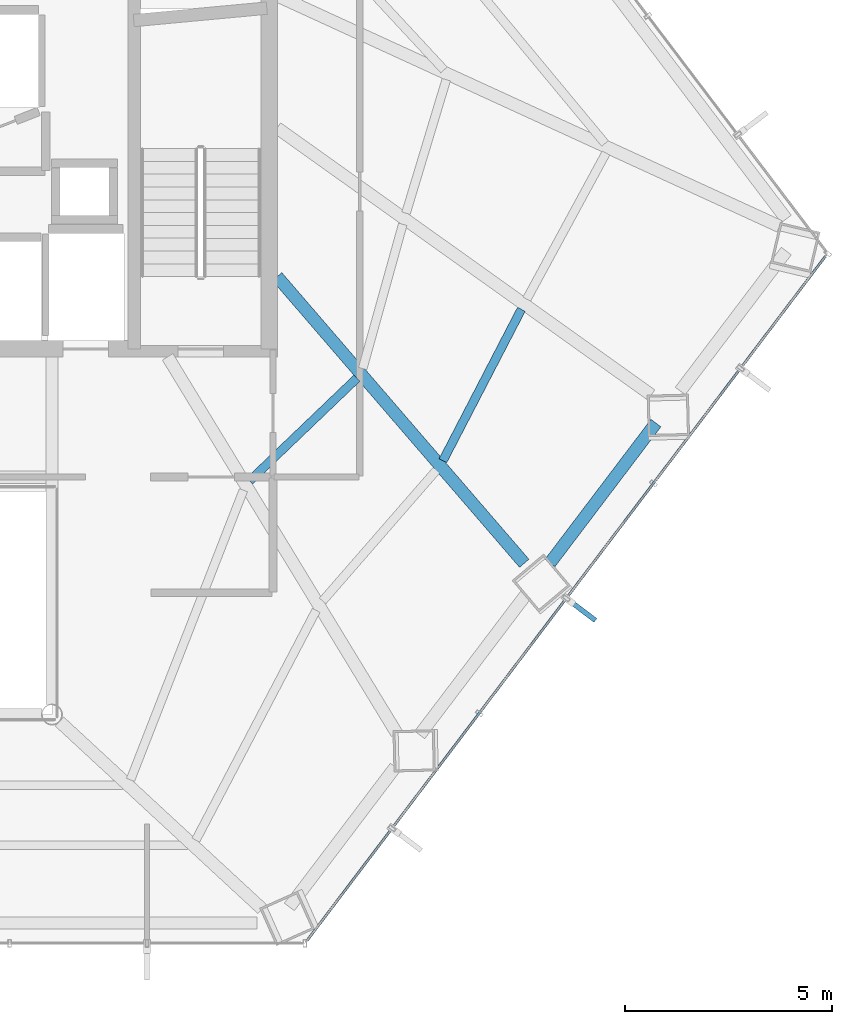
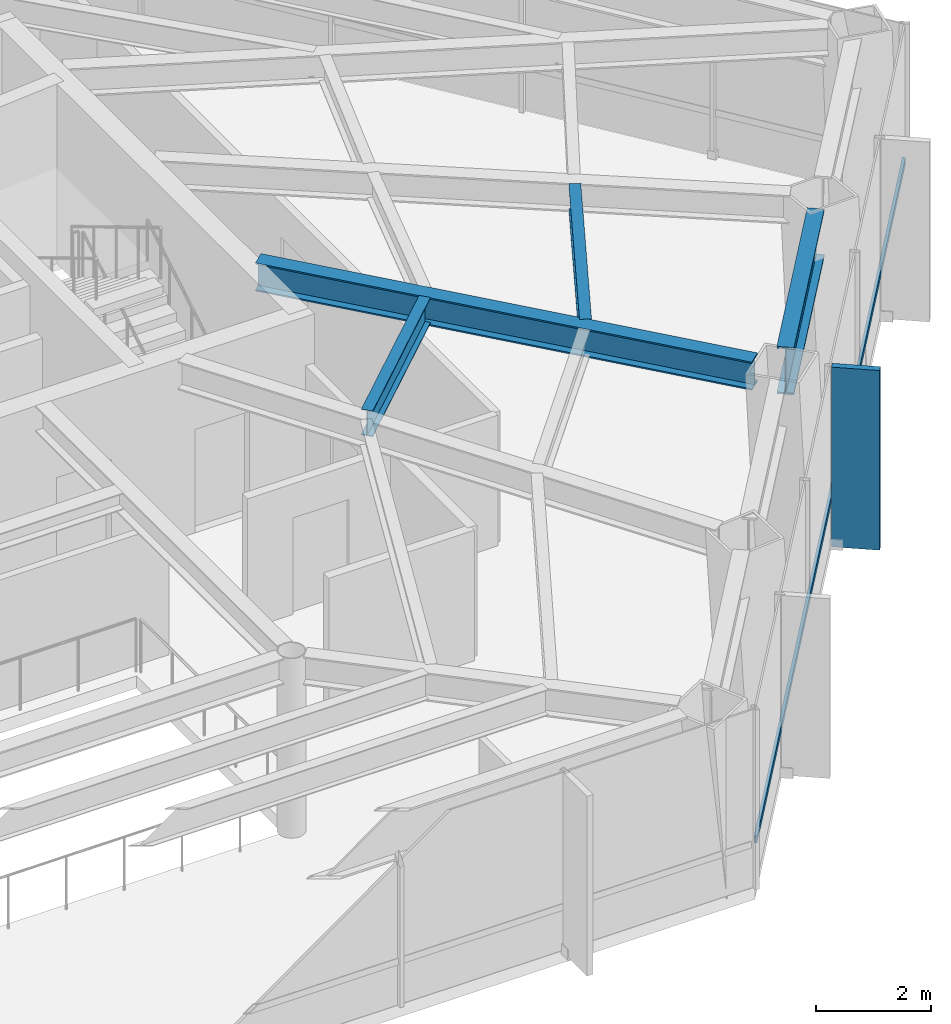
# One storey, part 18 of 26: 4 beams, 2 members, 1 element without a shape of its own.
"""IFC4 building model written with IfcOpenShell, lengths in metres."""

from ifc_helpers import new_model, si_unit, direction, frame, origin, origin_2d, place, context, subcontext, project, spatial, rectangle, hollow_rectangle, i_section, extrude, material, layer, layer_set, material_profile, profile_set, type_object, element, aggregate, save


model = new_model("IFC4")

# Units and contexts
model_context = context("Model", 3, precision=1e-05, world=origin(), true_north=direction((0.0, 1.0)))
body_context = subcontext(model_context, "Body", "Model", "MODEL_VIEW")
ifc_project = project(units=[si_unit("LENGTHUNIT", "METRE"), si_unit("AREAUNIT", "SQUARE_METRE"), si_unit("VOLUMEUNIT", "CUBIC_METRE"), si_unit("PLANEANGLEUNIT", "RADIAN"), si_unit("MASSUNIT", "GRAM", prefix="KILO")], contexts=[model_context])

# Site, building, storey
site_placement = place(None, origin())
site = spatial("IfcSite", under=ifc_project, at=site_placement, CompositionType="ELEMENT")
building_placement = place(site_placement, origin())
building = spatial("IfcBuilding", under=site, at=building_placement, Name="Zarrinselat Tower", CompositionType="ELEMENT")
storey_placement = place(building_placement, frame((0.0, 0.0, 60.179931640625)))
storey = spatial("IfcBuildingStorey", under=building, at=storey_placement, Name="L14", CompositionType="ELEMENT", Elevation=60.179931640625)

# Beams
ifc_material_1 = material(Name="Steel S355J2", Category="steel")
ifc_material_profile_1 = material_profile(ifc_material_1, i_section(OverallWidth=0.300048828125, OverallDepth=0.60009765625, WebThickness=0.015380859375, FlangeThickness=0.030029296875, at=origin_2d()), Name="HEB 600")
ifc_profile_set_1 = profile_set([ifc_material_profile_1], Name="Steel S355J2")
beam_type_1 = type_object("IfcBeamType", Name="BM-HEB600", PredefinedType="BEAM", material=ifc_profile_set_1)
beam_1_placement = place(storey_placement, frame((48.449951171875, 35.0, 3.52001953125), z_axis=(0.653022918696, -0.757338146179, 0.0), x_axis=(0.757338146179, 0.653022918696, 0.0)))
element("IfcBeam", 1, at=beam_1_placement, inside=storey, type_object=beam_type_1, Name="L14 Radial Primary Girder RG13", PredefinedType="BEAM", context=body_context, shape_type="SweptSolid", body=[
    extrude(i_section(OverallWidth=0.300048828125, OverallDepth=0.60009765625, WebThickness=0.015380859375, FlangeThickness=0.030029296875, at=origin_2d()), origin(), (0.0, 0.0, 1.0), 9.160400390625),
])
ifc_material_2 = material(Name="Steel S460M", Category="steel")
ifc_material_profile_2 = material_profile(ifc_material_2, i_section(OverallWidth=0.302001953125, OverallDepth=1.008056640625, WebThickness=0.02099609375, FlangeThickness=0.0400390625, at=origin_2d()), Name="HEM 1000")
ifc_profile_set_2 = profile_set([ifc_material_profile_2], Name="Steel S460M")
beam_type_2 = type_object("IfcBeamType", Name="BM-HEM1000", PredefinedType="BEAM", material=ifc_profile_set_2)
beam_2_placement = place(storey_placement, frame((55.054443359375, 28.0712890625, 3.316162109375), z_axis=(0.603865435914, 0.79708627846, 0.0), x_axis=(-0.79708627846, 0.603865435914, 0.0)))
element("IfcBeam", 2, at=beam_2_placement, inside=storey, type_object=beam_type_2, Name="L14 Perimeter Spandrel Girder SP13", PredefinedType="BEAM", context=body_context, shape_type="SweptSolid", body=[
    extrude(i_section(OverallWidth=0.302001953125, OverallDepth=1.008056640625, WebThickness=0.02099609375, FlangeThickness=0.0400390625, at=origin_2d()), origin(), (0.0, 0.0, 1.0), 4.246826171875),
])
ifc_material_3 = material(Name="Steel S355J2", Category="steel")
ifc_material_profile_3 = material_profile(ifc_material_3, i_section(OverallWidth=0.2099609375, OverallDepth=0.550048828125, WebThickness=0.010986328125, FlangeThickness=0.01708984375, at=origin_2d()), Name="IPE 550")
ifc_profile_set_3 = profile_set([ifc_material_profile_3], Name="Steel S355J2")
beam_type_3 = type_object("IfcBeamType", Name="BM-IPE550", PredefinedType="JOIST", material=ifc_profile_set_3)
beam_3_placement = place(storey_placement, frame((47.786376953125, 30.058837890625, 3.545166015625), z_axis=(0.722357097473, 0.691520226552, 0.0), x_axis=(-0.691520226552, 0.722357097473, 0.0)))
element("IfcBeam", 3, at=beam_3_placement, inside=storey, type_object=beam_type_3, Name="L14 Composite Floor Joist 3-2", PredefinedType="JOIST", context=body_context, shape_type="SweptSolid", body=[
    extrude(i_section(OverallWidth=0.2099609375, OverallDepth=0.550048828125, WebThickness=0.010986328125, FlangeThickness=0.01708984375, at=origin_2d()), origin(), (0.0, 0.0, 1.0), 3.594482421875),
])
beam_4_placement = place(storey_placement, frame((52.46240234375, 30.54541015625, 3.545166015625), z_axis=(0.460154873283, 0.887838663606, 0.0), x_axis=(-0.887838663606, 0.460154873283, 0.0)))
element("IfcBeam", 4, at=beam_4_placement, inside=storey, type_object=beam_type_3, Name="L14 Composite Floor Joist 4-1", PredefinedType="JOIST", context=body_context, shape_type="SweptSolid", body=[
    extrude(i_section(OverallWidth=0.2099609375, OverallDepth=0.550048828125, WebThickness=0.010986328125, FlangeThickness=0.01708984375, at=origin_2d()), origin(), (0.0, 0.0, 1.0), 4.127685546875),
])

# Curtain wall, members
ifc_material_4 = material(Name="Extruded Aluminium Alloy EN AW-6063 T6", Category="aluminium")
ifc_layer = layer(ifc_material_4, 0.18505859375)
ifc_layer_set = layer_set([ifc_layer], Name="Extruded Aluminium Alloy EN AW-6063 T6")
curtain_wall_type = type_object("IfcCurtainWallType", Name="CWS-OFF", PredefinedType="NOTDEFINED", material=ifc_layer_set)
curtain_wall_placement = place(storey_placement, origin())
curtain_wall = element("IfcCurtainWall", 5, at=curtain_wall_placement, inside=storey, type_object=curtain_wall_type, Name="L14 Unitised Curtain Wall CW-L14-E05", PredefinedType="NOTDEFINED")
ifc_material_5 = material(Name="Extruded Aluminium Alloy EN AW-6063 T6", Category="aluminium")
ifc_material_profile_4 = material_profile(ifc_material_5, hollow_rectangle(XDim=0.06005859375, YDim=0.139892578125, WallThickness=0.00390625, at=origin_2d()), Name="RHS 140x60x4")
ifc_profile_set_4 = profile_set([ifc_material_profile_4], Name="Extruded Aluminium Alloy EN AW-6063 T6")
member_type_1 = type_object("IfcMemberType", Name="MEM-CW-TRN", PredefinedType="USERDEFINED", material=ifc_profile_set_4)
member_1_placement = place(storey_placement, frame((49.177001953125, 18.933349609375, 0.949951171875), z_axis=(0.603860402873, 0.797090091422, 0.0), x_axis=(-0.797090091422, 0.603860402873, 0.0)))
member_1 = element("IfcMember", 6, at=member_1_placement, type_object=member_type_1, Name="CW-L14-E05 Transom 1", ObjectType="TRANSOM", PredefinedType="USERDEFINED", context=body_context, shape_type="SweptSolid", body=[
    extrude(hollow_rectangle(XDim=0.06005859375, YDim=0.139892578125, WallThickness=0.00390625, at=origin_2d()), origin(), (0.0, 0.0, 1.0), 20.776611328125),
])
ifc_material_6 = material(Name="Honed Cream Travertine Stone", Category="masonry")
ifc_material_profile_5 = material_profile(ifc_material_6, rectangle(XDim=0.1201171875, YDim=0.85009765625, at=origin_2d()), Name="FIN 850x120")
ifc_profile_set_5 = profile_set([ifc_material_profile_5], Name="Honed Cream Travertine Stone")
member_type_2 = type_object("IfcMemberType", Name="MEM-STONE-FIN", PredefinedType="USERDEFINED", material=ifc_profile_set_5)
member_2_placement = place(storey_placement, frame((55.816650390625, 26.93603515625, 0.0), z_axis=(0.0, 0.0, 1.0), x_axis=(-0.603860811653, -0.797089781737, 0.0)))
member_2 = element("IfcMember", 7, at=member_2_placement, type_object=member_type_2, Name="L14 Stone Shading Fin CW-L14-E05-03", ObjectType="FIN", PredefinedType="USERDEFINED", context=body_context, shape_type="SweptSolid", body=[
    extrude(rectangle(XDim=0.1201171875, YDim=0.85009765625, at=origin_2d()), origin(), (0.0, 0.0, 1.0), 3.820068359375),
])
aggregate(curtain_wall, [member_2, member_1])

save(model, "model.ifc")
